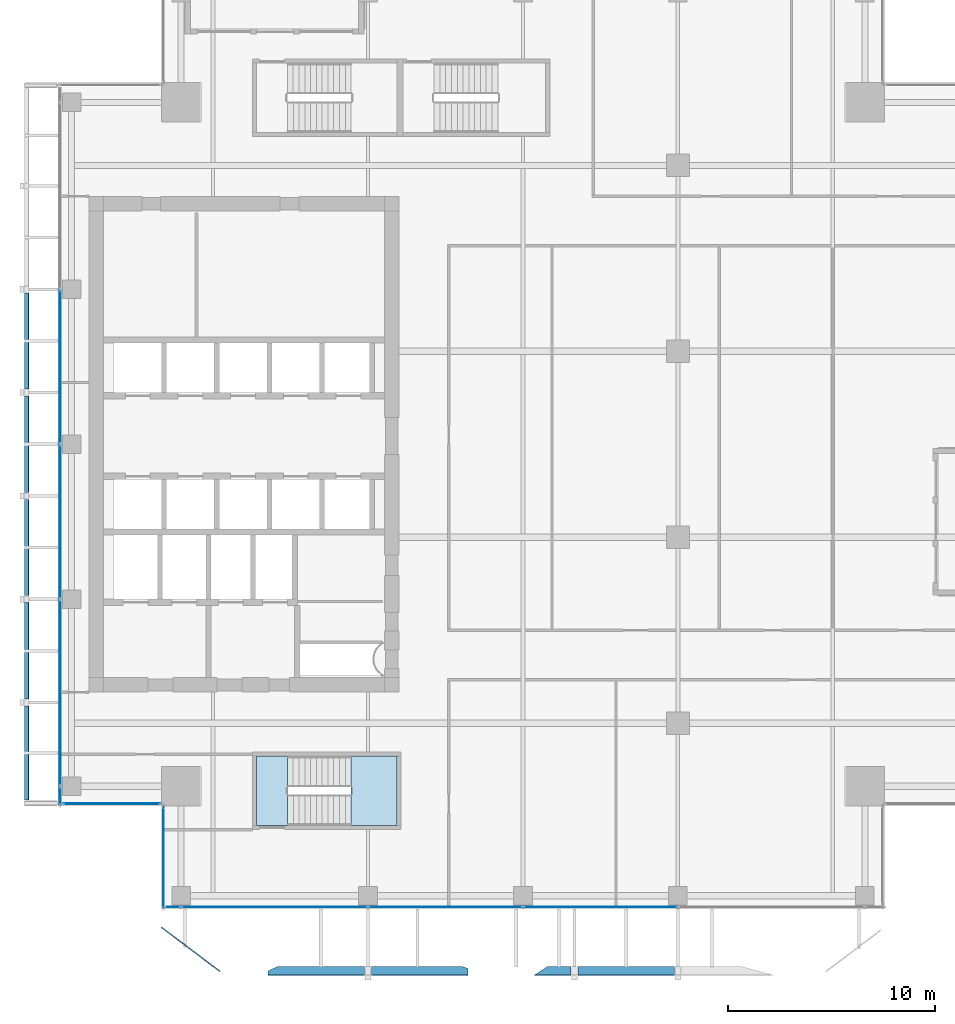
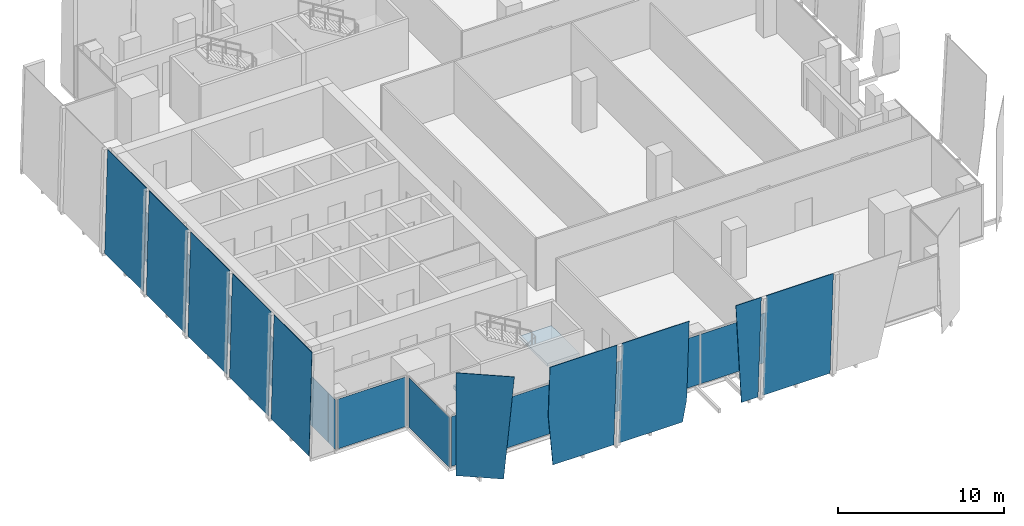
# One storey, part 23 of 35: 20 plates, 2 slabs, 5 elements without a shape of their own.
"""IFC4 building model written with IfcOpenShell, lengths in metres."""

from ifc_helpers import new_model, si_unit, direction, frame, origin, origin_2d, place, context, subcontext, project, spatial, polyline, rectangle, outline, extrude, source, transform, mapped, material, layer, layer_set, type_object, element, aggregate, save


model = new_model("IFC4")

# Units and contexts
model_context = context("Model", 3, precision=1e-05, world=origin(), true_north=direction((0.0, 1.0)))
body_context = subcontext(model_context, "Body", "Model", "MODEL_VIEW")
ifc_project = project(units=[si_unit("LENGTHUNIT", "METRE"), si_unit("AREAUNIT", "SQUARE_METRE"), si_unit("VOLUMEUNIT", "CUBIC_METRE"), si_unit("PLANEANGLEUNIT", "RADIAN"), si_unit("MASSUNIT", "GRAM", prefix="KILO")], contexts=[model_context])

# Site, building, storey
site_placement = place(None, origin())
site = spatial("IfcSite", under=ifc_project, at=site_placement, CompositionType="ELEMENT")
building_placement = place(site_placement, origin())
building = spatial("IfcBuilding", under=site, at=building_placement, Name="Khomas Fold Tower", CompositionType="ELEMENT")
storey_placement = place(building_placement, frame((0.0, 0.0, 258.199951171875)))
storey = spatial("IfcBuildingStorey", under=building, at=storey_placement, Name="L58", CompositionType="ELEMENT", Elevation=258.199951171875)

# Plates
ifc_material_1 = material(Name="Clear laminated glass", Category="glass")
ifc_layer_1 = layer(ifc_material_1, 0.0400390625)
ifc_layer_set_1 = layer_set([ifc_layer_1], Name="Clear laminated glass")
plate_type_1 = type_object("IfcPlateType", Name="SK-Clear laminated glass leaf", PredefinedType="SHEET", material=ifc_layer_set_1)
plate_1_placement = place(storey_placement, frame((11.791748046875, 1.864990234375, 0.0), z_axis=(-0.603598575162, -0.797288379406, 1.1275259e-05), x_axis=(-0.797288379456, 0.6035985752, 3.34e-10)))
element("IfcPlate", 1, at=plate_1_placement, inside=storey, type_object=plate_type_1, Name="OUTER SKIN glass L58 SG098-1", PredefinedType="SHEET", context=body_context, shape_type="SweptSolid", body=[
    extrude(outline(polyline([(0.0, 0.0), (2.87449245407849, 0.0), (2.8744924565995977, -7.550048827645075), (-0.655474634256377, -7.550048829783648), (0.0, 0.0)])), origin(), (0.0, 0.0, -1.0), 0.0400390625),
])
plate_2_placement = place(storey_placement, frame((15.101318359375, 1.71337890625, 0.0), z_axis=(1.444003e-06, 0.998629041929, 0.052345359047), x_axis=(-0.111676205933, -0.05201775935, 0.992382273996)))
element("IfcPlate", 2, at=plate_2_placement, inside=storey, type_object=plate_type_1, Name="OUTER SKIN glass L58 SG099-2", PredefinedType="SHEET", context=body_context, shape_type="SweptSolid", body=[
    extrude(outline(polyline([(0.0, 0.0), (3.8629221040300483, 0.0), (7.561297477319968, 0.4156203816943149), (7.040868908264122, 5.04662571303213), (-0.47225184642792944, 4.202307383911478), (0.0, 0.0)])), origin(), (0.0, 0.0, -1.0), 0.0400390625),
])
plate_3_placement = place(storey_placement, frame((24.095947265625, 1.71337890625, 0.0), z_axis=(1.7023597e-05, 0.998629073694, 0.052344750294), x_axis=(-0.999999999855, 1.7000259e-05, 8.91096e-07)))
element("IfcPlate", 3, at=plate_3_placement, inside=storey, type_object=plate_type_1, Name="OUTER SKIN glass L58 SG100-4", PredefinedType="SHEET", context=body_context, shape_type="SweptSolid", body=[
    extrude(outline(polyline([(0.0, 0.0), (4.426025389983662, 4.686236664054325e-22), (4.426025389915811, 7.56041380583484), (-0.2341308594089259, 7.56041380583484), (-0.23413086204212727, 1.5780994975539069), (0.0, 0.0)])), origin(), (0.0, 0.0, -1.0), 0.0400390625),
])
plate_4_placement = place(storey_placement, frame((28.175537109375, 1.71337890625, 0.0), z_axis=(0.0, 0.998629046243, 0.052345276765), x_axis=(-0.080851850524, -0.052173905135, 0.995359664589)))
element("IfcPlate", 4, at=plate_4_placement, inside=storey, type_object=plate_type_1, Name="OUTER SKIN glass L58 SG101-5", PredefinedType="SHEET", context=body_context, shape_type="SweptSolid", body=[
    extrude(outline(polyline([(0.0, 0.0), (7.585246918003098, 1.1102230246251565e-16), (7.4423152164302575, 1.7620346453815827), (-0.09334677761883246, 1.150761198454565), (0.0, 0.0)])), origin(), (0.0, 0.0, -1.0), 0.0400390625),
])
plate_5_placement = place(storey_placement, frame((29.669921875, 1.71337890625, 0.0), z_axis=(0.0, 0.998629046243, 0.052345276765), x_axis=(0.0, -0.052345276765, 0.998629046243)))
element("IfcPlate", 5, at=plate_5_placement, inside=storey, type_object=plate_type_1, Name="OUTER SKIN glass L58 SG102-7", PredefinedType="SHEET", context=body_context, shape_type="SweptSolid", body=[
    extrude(outline(polyline([(0.0, 0.0), (7.560413805835891, 0.0), (7.560413805835891, 4.660156250000001), (0.0, 4.660156250000001), (0.0, 0.0)])), origin(), (0.0, 0.0, -1.0), 0.0400390625),
])
plate_6_placement = place(storey_placement, frame((2.86328125, 9.77001953125, 0.0009765625), z_axis=(-0.99965715546, 0.0, 0.026183421048), x_axis=(0.0, 1.0, 0.0)))
element("IfcPlate", 6, at=plate_6_placement, inside=storey, type_object=plate_type_1, Name="OUTER SKIN glass L58 W1", PredefinedType="SHEET", context=body_context, shape_type="SweptSolid", body=[
    extrude(outline(polyline([(0.0, 0.0), (4.56005859375, 0.0), (4.56005859375, -7.552638208898188), (0.0, -7.552638208898188), (0.0, 0.0)])), origin(), (0.0, 0.0, -1.0), 0.0400390625),
])
for number, where, z_axis, x_axis, name in (
    (7, (2.86328125, 14.669921875, 0.0009765625), (-0.99965715546, 0.0, 0.026183421048), (0.0, 1.0, 0.0), "OUTER SKIN glass L58 W3"),
    (8, (2.86328125, 19.669921875, 0.0009765625), (-0.99965715546, 0.0, 0.026183421048), (0.0, 1.0, 0.0), "OUTER SKIN glass L58 W5"),
    (9, (2.86328125, 24.669921875, 0.0009765625), (-0.99965715546, 0.0, 0.026183421048), (0.0, 1.0, 0.0), "OUTER SKIN glass L58 W7"),
    (10, (2.86328125, 29.669921875, 0.0009765625), (-0.99965715546, 0.0, 0.026183421048), (0.0, 1.0, 0.0), "OUTER SKIN glass L58 W9"),
):
    element("IfcPlate", number, at=place(storey_placement, frame(where, z_axis=z_axis, x_axis=x_axis)), inside=storey, type_object=plate_type_1, Name=name, PredefinedType="SHEET", context=body_context, shape_type="SweptSolid", body=[
        extrude(outline(polyline([(0.0, 0.0), (4.66015625, 0.0), (4.66015625, -7.552638208898188), (0.0, -7.552638208898188), (0.0, 0.0)])), origin(), (0.0, 0.0, -1.0), 0.0400390625),
    ])

# Curtain wall, plates
ifc_material_2 = material(Name="Aluminium framed double glazing", Category="aluminium")
curtain_wall_type = type_object("IfcCurtainWallType", Name="SK-Unitised clear-glass wall, office floors CW2", PredefinedType="NOTDEFINED", material=ifc_material_2)
curtain_wall_1_placement = place(storey_placement, origin())
curtain_wall_1 = element("IfcCurtainWall", 11, at=curtain_wall_1_placement, inside=storey, type_object=curtain_wall_type, Name="CW2 run L58 00-0", PredefinedType="NOTDEFINED")
ifc_material_3 = material(Name="Clear double glazed unit")
ifc_layer_2 = layer(ifc_material_3, 0.030029296875)
ifc_layer_set_2 = layer_set([ifc_layer_2], Name="Clear double glazed unit")
plate_type_2 = type_object("IfcPlateType", Name="SK-Unitised clear-glass wall, office floors glass panel CW2-P", PredefinedType="CURTAIN_PANEL", material=ifc_layer_set_2)
shared_shape_1 = source(origin(), body_context, "Body", "SweptSolid", [
    extrude(rectangle(XDim=0.659912109375, YDim=0.030029296875, at=origin_2d()), origin(), (0.0, 0.0, 1.0), 3.639892578125),
])
plate_7_placement = place(storey_placement, frame((10.090087890625, 4.60009765625, 0.0), z_axis=(0.0, 0.0, 1.0), x_axis=(1.0, 0.0, 0.0)))
plate_7 = element("IfcPlate", 12, at=plate_7_placement, type_object=plate_type_2, Name="CW2 glass panel 1", PredefinedType="CURTAIN_PANEL", context=body_context, shape_type="MappedRepresentation", body=[
    mapped(shared_shape_1, transform((0.0, 0.0, 0.0))),
])
shared_shape_2 = source(origin(), body_context, "Body", "SweptSolid", [
    extrude(rectangle(XDim=7.43994140625, YDim=0.030029296875, at=origin_2d()), origin(), (0.0, 0.0, 1.0), 3.639892578125),
])
plate_8_placement = place(storey_placement, frame((23.25, 4.60009765625, 0.0), z_axis=(0.0, 0.0, 1.0), x_axis=(1.0, 0.0, 0.0)))
plate_8 = element("IfcPlate", 13, at=plate_8_placement, type_object=plate_type_2, Name="CW2 glass panel 3", PredefinedType="CURTAIN_PANEL", context=body_context, shape_type="MappedRepresentation", body=[
    mapped(shared_shape_2, transform((0.0, 0.0, 0.0))),
])
plate_9_placement = place(storey_placement, frame((30.75, 4.60009765625, 0.0), z_axis=(0.0, 0.0, 1.0), x_axis=(1.0, 0.0, 0.0)))
plate_9 = element("IfcPlate", 14, at=plate_9_placement, type_object=plate_type_2, Name="CW2 glass panel 4", PredefinedType="CURTAIN_PANEL", context=body_context, shape_type="MappedRepresentation", body=[
    mapped(shared_shape_2, transform((0.0, 0.0, 0.0))),
])

curtain_wall_2_placement = place(storey_placement, origin())
curtain_wall_2 = element("IfcCurtainWall", 15, at=curtain_wall_2_placement, inside=storey, type_object=curtain_wall_type, Name="CW2 run L58 09-0", PredefinedType="NOTDEFINED")
plate_10_placement = place(storey_placement, frame((4.60009765625, 30.75, 0.0), z_axis=(0.0, 0.0, 1.0), x_axis=(0.0, -1.0, 0.0)))
plate_10 = element("IfcPlate", 16, at=plate_10_placement, type_object=plate_type_2, Name="CW2 glass panel 3", PredefinedType="CURTAIN_PANEL", context=body_context, shape_type="MappedRepresentation", body=[
    mapped(shared_shape_2, transform((0.0, 0.0, 0.0))),
])
plate_11_placement = place(storey_placement, frame((4.60009765625, 23.25, 0.0), z_axis=(0.0, 0.0, 1.0), x_axis=(0.0, -1.0, 0.0)))
plate_11 = element("IfcPlate", 17, at=plate_11_placement, type_object=plate_type_2, Name="CW2 glass panel 4", PredefinedType="CURTAIN_PANEL", context=body_context, shape_type="MappedRepresentation", body=[
    mapped(shared_shape_2, transform((0.0, 0.0, 0.0))),
])
shared_shape_3 = source(origin(), body_context, "Body", "SweptSolid", [
    extrude(rectangle(XDim=0.860107421875, YDim=0.030029296875, at=origin_2d()), origin(), (0.0, 0.0, 1.0), 3.639892578125),
])
plate_12_placement = place(storey_placement, frame((4.60009765625, 9.989990234375, 0.0), z_axis=(0.0, 0.0, 1.0), x_axis=(0.0, -1.0, 0.0)))
plate_12 = element("IfcPlate", 18, at=plate_12_placement, type_object=plate_type_2, Name="CW2 glass panel 6", PredefinedType="CURTAIN_PANEL", context=body_context, shape_type="MappedRepresentation", body=[
    mapped(shared_shape_3, transform((0.0, 0.0, 0.0))),
])

# Plate
shared_shape_4 = source(origin(), body_context, "Body", "SweptSolid", [
    extrude(rectangle(XDim=8.989990234375, YDim=0.030029296875, at=origin_2d()), origin(), (0.0, 0.0, 1.0), 3.639892578125),
])
plate_13_placement = place(storey_placement, frame((14.97509765625, 4.60009765625, 0.0), z_axis=(0.0, 0.0, 1.0), x_axis=(1.0, 0.0, 0.0)))
plate_13 = element("IfcPlate", 19, at=plate_13_placement, type_object=plate_type_2, Name="CW2 glass panel 2", PredefinedType="CURTAIN_PANEL", context=body_context, shape_type="MappedRepresentation", body=[
    mapped(shared_shape_4, transform((0.0, 0.0, 0.0))),
])

aggregate(curtain_wall_1, [plate_7, plate_13, plate_8, plate_9])

plate_14_placement = place(storey_placement, frame((4.60009765625, 14.97509765625, 0.0), z_axis=(0.0, 0.0, 1.0), x_axis=(0.0, -1.0, 0.0)))
plate_14 = element("IfcPlate", 20, at=plate_14_placement, type_object=plate_type_2, Name="CW2 glass panel 5", PredefinedType="CURTAIN_PANEL", context=body_context, shape_type="MappedRepresentation", body=[
    mapped(shared_shape_4, transform((0.0, 0.0, 0.0))),
])

aggregate(curtain_wall_2, [plate_10, plate_11, plate_14, plate_12])

# Curtain wall, plate
curtain_wall_3_placement = place(storey_placement, origin())
curtain_wall_3 = element("IfcCurtainWall", 21, at=curtain_wall_3_placement, inside=storey, type_object=curtain_wall_type, Name="CW2 corner return L58 10", PredefinedType="NOTDEFINED")
shared_shape_5 = source(origin(), body_context, "Body", "SweptSolid", [
    extrude(rectangle(XDim=4.679931640625, YDim=0.030029296875, at=origin_2d()), origin(), (0.0, 0.0, 1.0), 3.639892578125),
])
plate_15_placement = place(storey_placement, frame((7.10009765625, 9.60009765625, 0.0), z_axis=(0.0, 0.0, 1.0), x_axis=(1.0, 0.0, 0.0)))
plate_15 = element("IfcPlate", 22, at=plate_15_placement, type_object=plate_type_2, Name="CW2 glass panel 1", PredefinedType="CURTAIN_PANEL", context=body_context, shape_type="MappedRepresentation", body=[
    mapped(shared_shape_5, transform((0.0, 0.0, 0.0))),
])
aggregate(curtain_wall_3, [plate_15])

curtain_wall_4_placement = place(storey_placement, origin())
curtain_wall_4 = element("IfcCurtainWall", 23, at=curtain_wall_4_placement, inside=storey, type_object=curtain_wall_type, Name="CW2 corner return L58 11", PredefinedType="NOTDEFINED")
shared_shape_6 = source(origin(), body_context, "Body", "SweptSolid", [
    extrude(rectangle(XDim=4.8798828125, YDim=0.030029296875, at=origin_2d()), origin(), (0.0, 0.0, 1.0), 3.639892578125),
])
plate_16_placement = place(storey_placement, frame((9.60009765625, 7.0, 0.0), z_axis=(0.0, 0.0, 1.0), x_axis=(0.0, -1.0, 0.0)))
plate_16 = element("IfcPlate", 24, at=plate_16_placement, type_object=plate_type_2, Name="CW2 glass panel 1", PredefinedType="CURTAIN_PANEL", context=body_context, shape_type="MappedRepresentation", body=[
    mapped(shared_shape_6, transform((0.0, 0.0, 0.0))),
])
aggregate(curtain_wall_4, [plate_16])

# Stair, slab
ifc_material_4 = material(Name="Concrete C40/50", Category="concrete")
stair_type = type_object("IfcStairType", Name="Stair ST2", PredefinedType="HALF_TURN_STAIR", material=ifc_material_4)
stair_placement = place(storey_placement, origin())
stair = element("IfcStair", 25, at=stair_placement, inside=storey, type_object=stair_type, Name="L58 ST2", PredefinedType="HALF_TURN_STAIR")
ifc_material_5 = material(Name="Concrete C40/50", Category="concrete")
ifc_layer_3 = layer(ifc_material_5, 0.199951171875)
ifc_layer_set_3 = layer_set([ifc_layer_3], Name="Concrete C40/50")
slab_type_1 = type_object("IfcSlabType", Name="Stair landing 200", PredefinedType="LANDING", material=ifc_layer_set_3)
shared_shape_7 = source(origin(), body_context, "Body", "SweptSolid", [
    extrude(outline(polyline([(18.679931640625, 8.550048828125), (20.89990234375, 8.550048828125), (20.89990234375, 11.89990234375), (18.679931640625, 11.89990234375), (18.679931640625, 8.550048828125)])), origin(), (0.0, 0.0, 1.0), 0.199951171875),
])
slab_1_placement = place(storey_placement, frame((0.0, 0.0, 1.800048828125)))
slab_1 = element("IfcSlab", 26, at=slab_1_placement, type_object=slab_type_1, Name="ST2 landing 1", PredefinedType="LANDING", context=body_context, shape_type="MappedRepresentation", body=[
    mapped(shared_shape_7, transform((0.0, 0.0, 0.0))),
])
aggregate(stair, [slab_1])

# Slab
ifc_material_6 = material(Name="Concrete C40/50", Category="concrete")
ifc_layer_4 = layer(ifc_material_6, 0.25)
ifc_layer_set_4 = layer_set([ifc_layer_4], Name="Concrete C40/50")
slab_type_2 = type_object("IfcSlabType", Name="Stair floor landing 250", PredefinedType="LANDING", material=ifc_layer_set_4)
shared_shape_8 = source(origin(), body_context, "Body", "SweptSolid", [
    extrude(outline(polyline([(15.60009765625, 8.550048828125), (14.10009765625, 8.550048828125), (14.10009765625, 11.89990234375), (15.60009765625, 11.89990234375), (15.60009765625, 8.550048828125)])), origin(), (0.0, 0.0, 1.0), 0.25),
])
slab_2_placement = place(storey_placement, frame((0.0, 0.0, -0.25)))
element("IfcSlab", 27, at=slab_2_placement, inside=storey, type_object=slab_type_2, Name="ST2 floor landing", PredefinedType="LANDING", context=body_context, shape_type="MappedRepresentation", body=[
    mapped(shared_shape_8, transform((0.0, 0.0, 0.0))),
])

save(model, "model.ifc")
